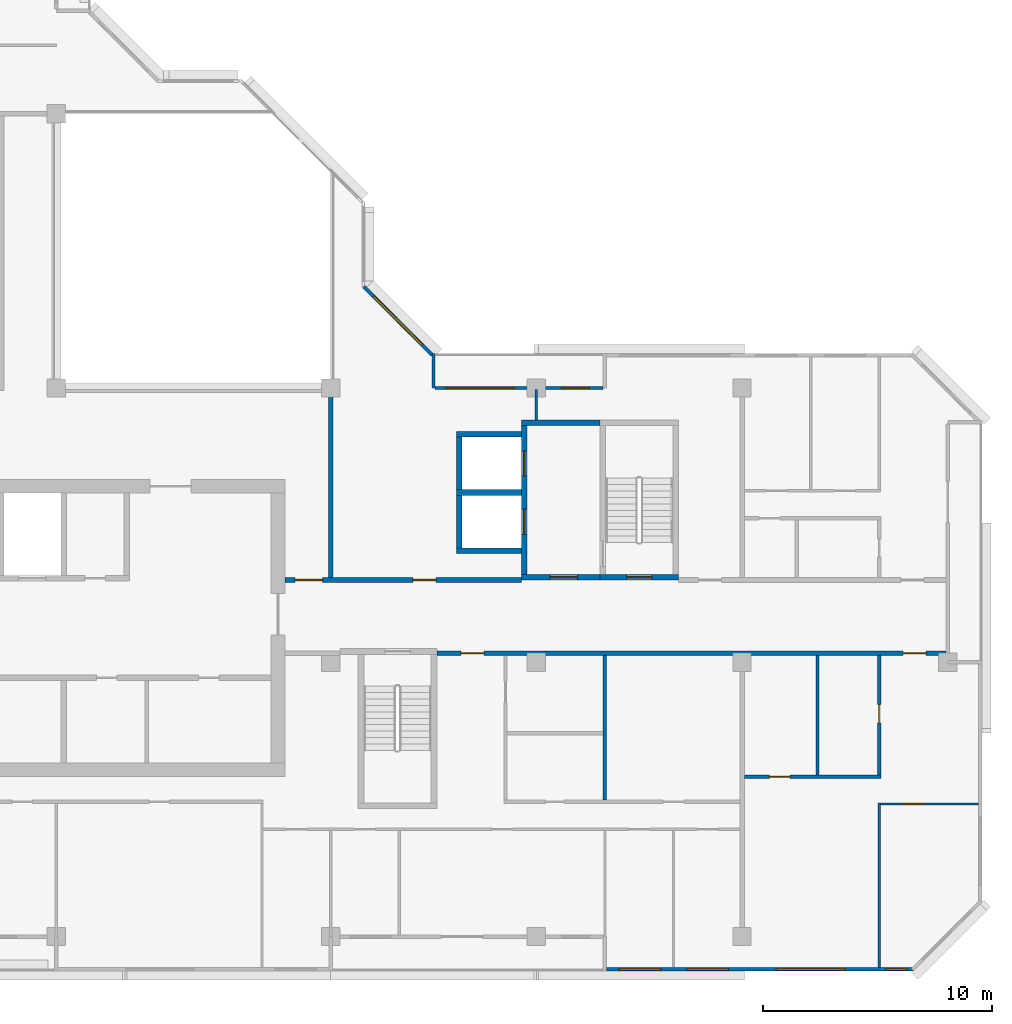
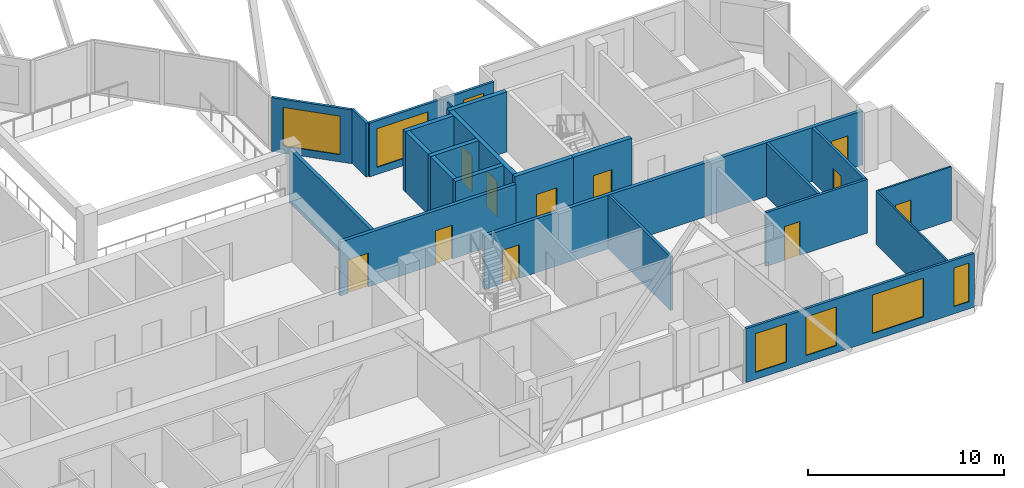
# One storey, part 7 of 13: 23 walls, 11 doors, 7 windows, 18 openings.
"""IFC4 building model written with IfcOpenShell, lengths in metres."""

from ifc_helpers import new_model, si_unit, direction, frame, frame_2d, origin, place, context, subcontext, project, spatial, rectangle, extrude, material, layer, layer_set, type_object, element, fill, save


model = new_model("IFC4")

# Units and contexts
model_context = context("Model", 3, precision=1e-05, world=origin(), true_north=direction((0.0, 1.0)))
body_context = subcontext(model_context, "Body", "Model", "MODEL_VIEW")
ifc_project = project(units=[si_unit("LENGTHUNIT", "METRE"), si_unit("AREAUNIT", "SQUARE_METRE"), si_unit("VOLUMEUNIT", "CUBIC_METRE"), si_unit("PLANEANGLEUNIT", "RADIAN"), si_unit("MASSUNIT", "GRAM", prefix="KILO")], contexts=[model_context])

# Site, building, storey
site_placement = place(None, origin())
site = spatial("IfcSite", under=ifc_project, at=site_placement, CompositionType="ELEMENT")
building_placement = place(site_placement, origin())
building = spatial("IfcBuilding", under=site, at=building_placement, Name="Chenar Terraces", CompositionType="ELEMENT")
storey_placement = place(building_placement, frame((0.0, 0.0, 310.89990234375)))
storey = spatial("IfcBuildingStorey", under=building, at=storey_placement, Name="L73", CompositionType="ELEMENT", Elevation=310.89990234375)

# Wall, opening, door
ifc_material_1 = material(Name="Concrete C50/60", Category="concrete")
ifc_layer_1 = layer(ifc_material_1, 0.25)
ifc_layer_set_1 = layer_set([ifc_layer_1], Name="Concrete C50/60")
wall_type_1 = type_object("IfcWallType", Name="Core wall 250 Concrete C50/60", PredefinedType="SHEAR", material=ifc_layer_set_1)
wall_1_placement = place(storey_placement, frame((47.77490234375, 15.72509765625, 0.0), z_axis=(0.0, 0.0, 1.0), x_axis=(1.0, 0.0, 0.0)))
wall_1 = element("IfcWall", 1, at=wall_1_placement, inside=storey, type_object=wall_type_1, Name="Core wall ST3_S L73", PredefinedType="SHEAR", context=body_context, shape_type="SweptSolid", body=[
    extrude(rectangle(XDim=3.4501953125, YDim=0.25, at=frame_2d((1.72509765625, 0.0))), origin(), (0.0, 0.0, 1.0), 3.75),
])
opening_1_placement = place(wall_1_placement, frame((1.175048828125, 0.0, 0.0)))
opening_1 = element("IfcOpeningElement", 2, at=opening_1_placement, cuts=wall_1, Name="Opening DL73-C8", PredefinedType="OPENING", context=body_context, shape_type="SweptSolid", body=[
    extrude(rectangle(XDim=1.10009765625, YDim=2.199951171875, at=frame_2d((0.550048828125, 1.10009765625))), frame((0.0, 0.135009765625, 0.0), z_axis=(0.0, -1.0, 0.0), x_axis=(1.0, 0.0, 0.0)), (0.0, 0.0, 1.0), 0.27001953125),
])
ifc_material_2 = material(Name="Steel-framed fire-resisting door leaf", Category="steel")
door_type_1 = type_object("IfcDoorType", Name="Stair fire door FD60 1100 x 2200", OperationType="SINGLE_SWING_LEFT", PredefinedType="DOOR", material=ifc_material_2)
door_1_placement = place(opening_1_placement, frame((1.10009765625, 0.0, 0.0), z_axis=(0.0, 0.0, 1.0), x_axis=(-1.0, 0.0, 0.0)))
door_1 = element("IfcDoor", 3, at=door_1_placement, inside=storey, type_object=door_type_1, Name="Stair door DL73-C8", OperationType="SINGLE_SWING_LEFT", OverallHeight=2.199951171875, OverallWidth=1.10009765625, PredefinedType="DOOR", context=body_context, shape_type="SweptSolid", body=[
    extrude(rectangle(XDim=1.10009765625, YDim=2.199951171875, at=frame_2d((0.550048828125, 1.10009765625))), frame((0.0, 0.02490234375, 0.0), z_axis=(0.0, -1.0, 0.0), x_axis=(1.0, 0.0, 0.0)), (0.0, 0.0, 1.0), 0.050048828125),
])
fill(opening_1, door_1)

wall_2_placement = place(storey_placement, frame((44.35009765625, 15.72509765625, 0.0), z_axis=(0.0, 0.0, 1.0), x_axis=(1.0, 0.0, 0.0)))
wall_2 = element("IfcWall", 4, at=wall_2_placement, inside=storey, type_object=wall_type_1, Name="Core wall F3_LS L73", PredefinedType="SHEAR", context=body_context, shape_type="SweptSolid", body=[
    extrude(rectangle(XDim=3.4248046875, YDim=0.25, at=frame_2d((1.71240234375, 0.0))), origin(), (0.0, 0.0, 1.0), 3.75),
])
opening_2_placement = place(wall_2_placement, frame((1.25, 0.0, 0.0)))
opening_2 = element("IfcOpeningElement", 5, at=opening_2_placement, cuts=wall_2, Name="Opening DL73-C10", PredefinedType="OPENING", context=body_context, shape_type="SweptSolid", body=[
    extrude(rectangle(XDim=1.199951171875, YDim=2.199951171875, at=frame_2d((0.60009765625, 1.10009765625))), frame((0.0, 0.135009765625, 0.0), z_axis=(0.0, -1.0, 0.0), x_axis=(1.0, 0.0, 0.0)), (0.0, 0.0, 1.0), 0.27001953125),
])
ifc_material_3 = material(Name="Steel-framed fire-resisting door leaf", Category="steel")
door_type_2 = type_object("IfcDoorType", Name="Lobby fire door FD60 1200 x 2200", OperationType="SINGLE_SWING_LEFT", PredefinedType="DOOR", material=ifc_material_3)
door_2_placement = place(opening_2_placement, origin())
door_2 = element("IfcDoor", 6, at=door_2_placement, inside=storey, type_object=door_type_2, Name="Core door DL73-C10", OperationType="SINGLE_SWING_RIGHT", OverallHeight=2.199951171875, OverallWidth=1.199951171875, PredefinedType="DOOR", context=body_context, shape_type="SweptSolid", body=[
    extrude(rectangle(XDim=1.199951171875, YDim=2.199951171875, at=frame_2d((0.60009765625, 1.10009765625))), frame((0.0, 0.02490234375, 0.0), z_axis=(0.0, -1.0, 0.0), x_axis=(1.0, 0.0, 0.0)), (0.0, 0.0, 1.0), 0.050048828125),
])
fill(opening_2, door_2)

# Wall
wall_3_placement = place(storey_placement, frame((44.35009765625, 22.47509765625, 0.0), z_axis=(0.0, 0.0, 1.0), x_axis=(1.0, 0.0, 0.0)))
element("IfcWall", 7, at=wall_3_placement, inside=storey, type_object=wall_type_1, Name="Core wall F3_LN L73", PredefinedType="SHEAR", context=body_context, shape_type="SweptSolid", body=[
    extrude(rectangle(XDim=3.4248046875, YDim=0.25, at=frame_2d((1.71240234375, 0.0))), origin(), (0.0, 0.0, 1.0), 3.75),
])

# Wall, openings, doors
wall_4_placement = place(storey_placement, frame((44.47509765625, 15.85009765625, 0.0), z_axis=(0.0, 0.0, 1.0), x_axis=(0.0, 1.0, 0.0)))
wall_4 = element("IfcWall", 8, at=wall_4_placement, inside=storey, type_object=wall_type_1, Name="Core wall F3_LW L73", PredefinedType="SHEAR", context=body_context, shape_type="SweptSolid", body=[
    extrude(rectangle(XDim=6.5, YDim=0.25, at=frame_2d((3.25, 0.0))), origin(), (0.0, 0.0, 1.0), 3.75),
])
opening_3_placement = place(wall_4_placement, frame((1.75, 0.0, 0.0)))
opening_3 = element("IfcOpeningElement", 9, at=opening_3_placement, cuts=wall_4, Name="Opening DL73-LD8", PredefinedType="OPENING", context=body_context, shape_type="SweptSolid", body=[
    extrude(rectangle(XDim=1.10009765625, YDim=2.199951171875, at=frame_2d((0.550048828125, 1.10009765625))), frame((0.0, 0.135009765625, 0.0), z_axis=(0.0, -1.0, 0.0), x_axis=(1.0, 0.0, 0.0)), (0.0, 0.0, 1.0), 0.27001953125),
])
opening_4_placement = place(wall_4_placement, frame((4.300048828125, 0.0, 0.0)))
opening_4 = element("IfcOpeningElement", 10, at=opening_4_placement, cuts=wall_4, Name="Opening DL73-LD9", PredefinedType="OPENING", context=body_context, shape_type="SweptSolid", body=[
    extrude(rectangle(XDim=1.10009765625, YDim=2.199951171875, at=frame_2d((0.550048828125, 1.10009765625))), frame((0.0, 0.135009765625, 0.0), z_axis=(0.0, -1.0, 0.0), x_axis=(1.0, 0.0, 0.0)), (0.0, 0.0, 1.0), 0.27001953125),
])
ifc_material_4 = material(Name="Stainless steel", Category="steel")
door_type_3 = type_object("IfcDoorType", Name="Lift landing door 1100 x 2200 sliding", OperationType="DOUBLE_DOOR_SLIDING", PredefinedType="DOOR", material=ifc_material_4)
door_3_placement = place(opening_3_placement, origin())
door_3 = element("IfcDoor", 11, at=door_3_placement, inside=storey, type_object=door_type_3, Name="Landing door F3", OperationType="DOUBLE_DOOR_SLIDING", OverallHeight=2.199951171875, OverallWidth=1.10009765625, PredefinedType="DOOR", context=body_context, shape_type="SweptSolid", body=[
    extrude(rectangle(XDim=1.10009765625, YDim=2.199951171875, at=frame_2d((0.550048828125, 1.10009765625))), frame((0.0, 0.02490234375, 0.0), z_axis=(0.0, -1.0, 0.0), x_axis=(1.0, 0.0, 0.0)), (0.0, 0.0, 1.0), 0.050048828125),
])
fill(opening_3, door_3)
door_4_placement = place(opening_4_placement, origin())
door_4 = element("IfcDoor", 12, at=door_4_placement, inside=storey, type_object=door_type_3, Name="Landing door F4", OperationType="DOUBLE_DOOR_SLIDING", OverallHeight=2.199951171875, OverallWidth=1.10009765625, PredefinedType="DOOR", context=body_context, shape_type="SweptSolid", body=[
    extrude(rectangle(XDim=1.10009765625, YDim=2.199951171875, at=frame_2d((0.550048828125, 1.10009765625))), frame((0.0, 0.02490234375, 0.0), z_axis=(0.0, -1.0, 0.0), x_axis=(1.0, 0.0, 0.0)), (0.0, 0.0, 1.0), 0.050048828125),
])
fill(opening_4, door_4)

# Walls
for number, where, z_axis, x_axis, name in (
    (13, (41.5, 16.875, 0.0), (0.0, 0.0, 1.0), (1.0, 0.0, 0.0), "Core wall F3_SS L73"),
    (14, (41.5, 19.425048828125, 0.0), (0.0, 0.0, 1.0), (1.0, 0.0, 0.0), "Core wall F3_SM L73"),
    (15, (41.5, 21.97509765625, 0.0), (0.0, 0.0, 1.0), (1.0, 0.0, 0.0), "Core wall F4_SN L73"),
):
    element("IfcWall", number, at=place(storey_placement, frame(where, z_axis=z_axis, x_axis=x_axis)), inside=storey, type_object=wall_type_1, Name=name, PredefinedType="SHEAR", context=body_context, shape_type="SweptSolid", body=[
        extrude(rectangle(XDim=2.85009765625, YDim=0.25, at=frame_2d((1.425048828125, 0.0))), origin(), (0.0, 0.0, 1.0), 3.75),
    ])
for number, where, z_axis, x_axis, name in (
    (16, (41.625, 17.0, 0.0), (0.0, 0.0, 1.0), (0.0, 1.0, 0.0), "Core wall F3_SW L73"),
    (17, (41.625, 19.550048828125, 0.0), (0.0, 0.0, 1.0), (0.0, 1.0, 0.0), "Core wall F4_SW L73"),
):
    element("IfcWall", number, at=place(storey_placement, frame(where, z_axis=z_axis, x_axis=x_axis)), inside=storey, type_object=wall_type_1, Name=name, PredefinedType="SHEAR", context=body_context, shape_type="SweptSolid", body=[
        extrude(rectangle(XDim=2.300048828125, YDim=0.25, at=frame_2d((1.14990234375, 0.0))), origin(), (0.0, 0.0, 1.0), 3.75),
    ])

# Wall, openings, doors
ifc_material_5 = material(Name="Gypsum board on steel studs with fire boards", Category="steel")
ifc_layer_2 = layer(ifc_material_5, 0.199951171875)
ifc_layer_set_2 = layer_set([ifc_layer_2], Name="Gypsum board on steel studs with fire boards")
wall_type_2 = type_object("IfcWallType", Name="Corridor wall 200", PredefinedType="PARTITIONING", material=ifc_layer_set_2)
wall_5_placement = place(storey_placement, frame((34.0, 15.60009765625, 0.0), z_axis=(0.0, 0.0, 1.0), x_axis=(1.0, 0.0, 0.0)))
wall_5 = element("IfcWall", 18, at=wall_5_placement, inside=storey, type_object=wall_type_2, Name="Partition L73-056", PredefinedType="PARTITIONING", context=body_context, shape_type="SweptSolid", body=[
    extrude(rectangle(XDim=10.35009765625, YDim=0.199951171875, at=frame_2d((5.175048828125, 0.0))), origin(), (0.0, 0.0, 1.0), 3.35009765625),
])
opening_5_placement = place(wall_5_placement, frame((5.60009765625, 0.0, 0.0)))
opening_5 = element("IfcOpeningElement", 19, at=opening_5_placement, cuts=wall_5, Name="Opening DL73-3", PredefinedType="OPENING", context=body_context, shape_type="SweptSolid", body=[
    extrude(rectangle(XDim=1.0, YDim=2.10009765625, at=frame_2d((0.5, 1.050048828125))), frame((0.0, 0.10986328125, 0.0), z_axis=(0.0, -1.0, 0.0), x_axis=(1.0, 0.0, 0.0)), (0.0, 0.0, 1.0), 0.219970703125),
])
opening_6_placement = place(wall_5_placement, frame((0.449951171875, 0.0, 0.0)))
opening_6 = element("IfcOpeningElement", 20, at=opening_6_placement, cuts=wall_5, Name="Opening DL73-29", PredefinedType="OPENING", context=body_context, shape_type="SweptSolid", body=[
    extrude(rectangle(XDim=1.199951171875, YDim=2.10009765625, at=frame_2d((0.60009765625, 1.050048828125))), frame((0.0, 0.10986328125, 0.0), z_axis=(0.0, -1.0, 0.0), x_axis=(1.0, 0.0, 0.0)), (0.0, 0.0, 1.0), 0.219970703125),
])
ifc_material_6 = material(Name="Steel-framed fire-resisting door leaf", Category="steel")
door_type_4 = type_object("IfcDoorType", Name="Fire door FD60 1000 x 2100", OperationType="SINGLE_SWING_LEFT", PredefinedType="DOOR", material=ifc_material_6)
door_5_placement = place(opening_5_placement, origin())
door_5 = element("IfcDoor", 21, at=door_5_placement, inside=storey, type_object=door_type_4, Name="Door DL73-3", OperationType="SINGLE_SWING_RIGHT", OverallHeight=2.10009765625, OverallWidth=1.0, PredefinedType="DOOR", context=body_context, shape_type="SweptSolid", body=[
    extrude(rectangle(XDim=1.0, YDim=2.10009765625, at=frame_2d((0.5, 1.050048828125))), frame((0.0, 0.02490234375, 0.0), z_axis=(0.0, -1.0, 0.0), x_axis=(1.0, 0.0, 0.0)), (0.0, 0.0, 1.0), 0.050048828125),
])
fill(opening_5, door_5)
ifc_material_7 = material(Name="Steel-framed fire-resisting door leaf", Category="steel")
door_type_5 = type_object("IfcDoorType", Name="Fire door FD60 1200 x 2100", OperationType="SINGLE_SWING_LEFT", PredefinedType="DOOR", material=ifc_material_7)
door_6_placement = place(opening_6_placement, origin())
door_6 = element("IfcDoor", 22, at=door_6_placement, inside=storey, type_object=door_type_5, Name="Door DL73-29", OperationType="SINGLE_SWING_RIGHT", OverallHeight=2.10009765625, OverallWidth=1.199951171875, PredefinedType="DOOR", context=body_context, shape_type="SweptSolid", body=[
    extrude(rectangle(XDim=1.199951171875, YDim=2.10009765625, at=frame_2d((0.60009765625, 1.050048828125))), frame((0.0, 0.02490234375, 0.0), z_axis=(0.0, -1.0, 0.0), x_axis=(1.0, 0.0, 0.0)), (0.0, 0.0, 1.0), 0.050048828125),
])
fill(opening_6, door_6)

# Wall
wall_6_placement = place(storey_placement, frame((36.0, 15.699951171875, 0.0), z_axis=(0.0, 0.0, 1.0), x_axis=(0.0, 1.0, 0.0)))
element("IfcWall", 23, at=wall_6_placement, inside=storey, type_object=wall_type_2, Name="Partition L73-058", PredefinedType="PARTITIONING", context=body_context, shape_type="SweptSolid", body=[
    extrude(rectangle(XDim=8.300048828125, YDim=0.199951171875, at=frame_2d((4.14990234375, 0.0))), origin(), (0.0, 0.0, 1.0), 3.35009765625),
])

# Wall, openings, doors
wall_7_placement = place(storey_placement, frame((40.64990234375, 12.39990234375, 0.0), z_axis=(0.0, 0.0, 1.0), x_axis=(1.0, 0.0, 0.0)))
wall_7 = element("IfcWall", 24, at=wall_7_placement, inside=storey, type_object=wall_type_2, Name="Partition L73-060", PredefinedType="PARTITIONING", context=body_context, shape_type="SweptSolid", body=[
    extrude(rectangle(XDim=22.276123046875, YDim=0.199951171875, at=frame_2d((11.13818359375, 0.0))), origin(), (0.0, 0.0, 1.0), 3.35009765625),
])
opening_7_placement = place(wall_7_placement, frame((20.39990234375, 0.0, 0.0)))
opening_7 = element("IfcOpeningElement", 25, at=opening_7_placement, cuts=wall_7, Name="Opening DL73-12", PredefinedType="OPENING", context=body_context, shape_type="SweptSolid", body=[
    extrude(rectangle(XDim=1.0, YDim=2.10009765625, at=frame_2d((0.5, 1.050048828125))), frame((0.0, 0.10986328125, 0.0), z_axis=(0.0, -1.0, 0.0), x_axis=(1.0, 0.0, 0.0)), (0.0, 0.0, 1.0), 0.219970703125),
])
opening_8_placement = place(wall_7_placement, frame((1.050048828125, 0.0, 0.0)))
opening_8 = element("IfcOpeningElement", 26, at=opening_8_placement, cuts=wall_7, Name="Opening DL73-45", PredefinedType="OPENING", context=body_context, shape_type="SweptSolid", body=[
    extrude(rectangle(XDim=1.0, YDim=2.10009765625, at=frame_2d((0.5, 1.050048828125))), frame((0.0, 0.10986328125, 0.0), z_axis=(0.0, -1.0, 0.0), x_axis=(1.0, 0.0, 0.0)), (0.0, 0.0, 1.0), 0.219970703125),
])
ifc_material_8 = material(Name="Steel-framed fire-resisting door leaf", Category="steel")
door_type_6 = type_object("IfcDoorType", Name="Fire door FD30S 1000 x 2100", OperationType="SINGLE_SWING_LEFT", PredefinedType="DOOR", material=ifc_material_8)
door_7_placement = place(opening_7_placement, frame((1.0, 0.0, 0.0), z_axis=(0.0, 0.0, 1.0), x_axis=(-1.0, 0.0, 0.0)))
door_7 = element("IfcDoor", 27, at=door_7_placement, inside=storey, type_object=door_type_6, Name="Door DL73-12", OperationType="SINGLE_SWING_LEFT", OverallHeight=2.10009765625, OverallWidth=1.0, PredefinedType="DOOR", context=body_context, shape_type="SweptSolid", body=[
    extrude(rectangle(XDim=1.0, YDim=2.10009765625, at=frame_2d((0.5, 1.050048828125))), frame((0.0, 0.02490234375, 0.0), z_axis=(0.0, -1.0, 0.0), x_axis=(1.0, 0.0, 0.0)), (0.0, 0.0, 1.0), 0.050048828125),
])
fill(opening_7, door_7)
door_8_placement = place(opening_8_placement, origin())
door_8 = element("IfcDoor", 28, at=door_8_placement, inside=storey, type_object=door_type_6, Name="Door DL73-45", OperationType="SINGLE_SWING_LEFT", OverallHeight=2.10009765625, OverallWidth=1.0, PredefinedType="DOOR", context=body_context, shape_type="SweptSolid", body=[
    extrude(rectangle(XDim=1.0, YDim=2.10009765625, at=frame_2d((0.5, 1.050048828125))), frame((0.0, 0.02490234375, 0.0), z_axis=(0.0, -1.0, 0.0), x_axis=(1.0, 0.0, 0.0)), (0.0, 0.0, 1.0), 0.050048828125),
])
fill(opening_8, door_8)

# Wall, openings, windows
ifc_material_9 = material(Name="Aluminium framed glazing", Category="aluminium")
ifc_layer_3 = layer(ifc_material_9, 0.14990234375)
ifc_layer_set_3 = layer_set([ifc_layer_3], Name="Aluminium framed glazing")
wall_type_3 = type_object("IfcWallType", Name="Glazed flush facade wall 150", PredefinedType="SOLIDWALL", material=ifc_layer_set_3)
wall_8_placement = place(storey_placement, frame((48.074951171875, -1.425048828125, 0.0), z_axis=(0.0, 0.0, 1.0), x_axis=(1.0, 0.0, 0.0)))
wall_8 = element("IfcWall", 29, at=wall_8_placement, inside=storey, type_object=wall_type_3, Name="Glazed flush facade wall", PredefinedType="SOLIDWALL", context=body_context, shape_type="SweptSolid", body=[
    extrude(rectangle(XDim=13.425048828125, YDim=0.14990234375, at=frame_2d((6.71240234375, 0.0))), origin(), (0.0, 0.0, 1.0), 3.35009765625),
])
opening_9_placement = place(wall_8_placement, frame((0.5625, 0.0, 0.449951171875)))
opening_9 = element("IfcOpeningElement", 30, at=opening_9_placement, cuts=wall_8, Name="Opening W180x240", PredefinedType="OPENING", context=body_context, shape_type="SweptSolid", body=[
    extrude(rectangle(XDim=1.800048828125, YDim=2.39990234375, at=frame_2d((0.89990234375, 1.199951171875))), frame((0.0, 0.0849609375, 0.0), z_axis=(0.0, -1.0, 0.0), x_axis=(1.0, 0.0, 0.0)), (0.0, 0.0, 1.0), 0.169921875),
])
opening_10_placement = place(wall_8_placement, frame((3.52490234375, 0.0, 0.449951171875)))
opening_10 = element("IfcOpeningElement", 31, at=opening_10_placement, cuts=wall_8, Name="Opening W180x240", PredefinedType="OPENING", context=body_context, shape_type="SweptSolid", body=[
    extrude(rectangle(XDim=1.800048828125, YDim=2.39990234375, at=frame_2d((0.89990234375, 1.199951171875))), frame((0.0, 0.0849609375, 0.0), z_axis=(0.0, -1.0, 0.0), x_axis=(1.0, 0.0, 0.0)), (0.0, 0.0, 1.0), 0.169921875),
])
opening_11_placement = place(wall_8_placement, frame((7.425048828125, 0.0, 0.449951171875)))
opening_11 = element("IfcOpeningElement", 32, at=opening_11_placement, cuts=wall_8, Name="Opening W300x240", PredefinedType="OPENING", context=body_context, shape_type="SweptSolid", body=[
    extrude(rectangle(XDim=3.0, YDim=2.39990234375, at=frame_2d((1.5, 1.199951171875))), frame((0.0, 0.0849609375, 0.0), z_axis=(0.0, -1.0, 0.0), x_axis=(1.0, 0.0, 0.0)), (0.0, 0.0, 1.0), 0.169921875),
])
opening_12_placement = place(wall_8_placement, frame((12.22509765625, 0.0, 0.449951171875)))
opening_12 = element("IfcOpeningElement", 33, at=opening_12_placement, cuts=wall_8, Name="Opening W90x240", PredefinedType="OPENING", context=body_context, shape_type="SweptSolid", body=[
    extrude(rectangle(XDim=0.89990234375, YDim=2.39990234375, at=frame_2d((0.449951171875, 1.199951171875))), frame((0.0, 0.0849609375, 0.0), z_axis=(0.0, -1.0, 0.0), x_axis=(1.0, 0.0, 0.0)), (0.0, 0.0, 1.0), 0.169921875),
])
ifc_material_10 = material(Name="Low emissivity double glazing, aluminium frame", Category="aluminium")
window_type_1 = type_object("IfcWindowType", Name="Fixed light 1800 x 2400", PartitioningType="SINGLE_PANEL", PredefinedType="WINDOW", material=ifc_material_10)
window_1_placement = place(opening_9_placement, origin())
window_1 = element("IfcWindow", 34, at=window_1_placement, inside=storey, type_object=window_type_1, Name="Window", OverallHeight=2.39990234375, OverallWidth=1.800048828125, PartitioningType="SINGLE_PANEL", PredefinedType="WINDOW", context=body_context, shape_type="SweptSolid", body=[
    extrude(rectangle(XDim=1.800048828125, YDim=2.39990234375, at=frame_2d((0.89990234375, 1.199951171875))), frame((0.0, 0.030029296875, 0.0), z_axis=(0.0, -1.0, 0.0), x_axis=(1.0, 0.0, 0.0)), (0.0, 0.0, 1.0), 0.06005859375),
])
fill(opening_9, window_1)
window_2_placement = place(opening_10_placement, origin())
window_2 = element("IfcWindow", 35, at=window_2_placement, inside=storey, type_object=window_type_1, Name="Window", OverallHeight=2.39990234375, OverallWidth=1.800048828125, PartitioningType="SINGLE_PANEL", PredefinedType="WINDOW", context=body_context, shape_type="SweptSolid", body=[
    extrude(rectangle(XDim=1.800048828125, YDim=2.39990234375, at=frame_2d((0.89990234375, 1.199951171875))), frame((0.0, 0.030029296875, 0.0), z_axis=(0.0, -1.0, 0.0), x_axis=(1.0, 0.0, 0.0)), (0.0, 0.0, 1.0), 0.06005859375),
])
fill(opening_10, window_2)
ifc_material_11 = material(Name="Low emissivity double glazing, aluminium frame", Category="aluminium")
window_type_2 = type_object("IfcWindowType", Name="Fixed light 3000 x 2400", PartitioningType="SINGLE_PANEL", PredefinedType="WINDOW", material=ifc_material_11)
window_3_placement = place(opening_11_placement, origin())
window_3 = element("IfcWindow", 36, at=window_3_placement, inside=storey, type_object=window_type_2, Name="Window", OverallHeight=2.39990234375, OverallWidth=3.0, PartitioningType="SINGLE_PANEL", PredefinedType="WINDOW", context=body_context, shape_type="SweptSolid", body=[
    extrude(rectangle(XDim=3.0, YDim=2.39990234375, at=frame_2d((1.5, 1.199951171875))), frame((0.0, 0.030029296875, 0.0), z_axis=(0.0, -1.0, 0.0), x_axis=(1.0, 0.0, 0.0)), (0.0, 0.0, 1.0), 0.06005859375),
])
fill(opening_11, window_3)
ifc_material_12 = material(Name="Low emissivity double glazing, aluminium frame", Category="aluminium")
window_type_3 = type_object("IfcWindowType", Name="Fixed light 900 x 2400", PartitioningType="SINGLE_PANEL", PredefinedType="WINDOW", material=ifc_material_12)
window_4_placement = place(opening_12_placement, origin())
window_4 = element("IfcWindow", 37, at=window_4_placement, inside=storey, type_object=window_type_3, Name="Window", OverallHeight=2.39990234375, OverallWidth=0.89990234375, PartitioningType="SINGLE_PANEL", PredefinedType="WINDOW", context=body_context, shape_type="SweptSolid", body=[
    extrude(rectangle(XDim=0.89990234375, YDim=2.39990234375, at=frame_2d((0.449951171875, 1.199951171875))), frame((0.0, 0.030029296875, 0.0), z_axis=(0.0, -1.0, 0.0), x_axis=(1.0, 0.0, 0.0)), (0.0, 0.0, 1.0), 0.06005859375),
])
fill(opening_12, window_4)

ifc_material_13 = material(Name="Aluminium framed glazing", Category="aluminium")
ifc_layer_4 = layer(ifc_material_13, 0.14990234375)
ifc_layer_set_4 = layer_set([ifc_layer_4], Name="Aluminium framed glazing")
wall_type_4 = type_object("IfcWallType", Name="Glazed loggia back wall 150", PredefinedType="SOLIDWALL", material=ifc_layer_set_4)
wall_9_placement = place(storey_placement, frame((47.925048828125, 24.0, 0.0), z_axis=(0.0, 0.0, 1.0), x_axis=(-1.0, 0.0, 0.0)))
wall_9 = element("IfcWall", 38, at=wall_9_placement, inside=storey, type_object=wall_type_4, Name="Glazed loggia back wall", PredefinedType="SOLIDWALL", context=body_context, shape_type="SweptSolid", body=[
    extrude(rectangle(XDim=7.35009765625, YDim=0.14990234375, at=frame_2d((3.675048828125, 0.0))), origin(), (0.0, 0.0, 1.0), 3.35009765625),
])
opening_13_placement = place(wall_9_placement, frame((0.612548828125, 0.0, 0.449951171875)))
opening_13 = element("IfcOpeningElement", 39, at=opening_13_placement, cuts=wall_9, Name="Opening W120x240", PredefinedType="OPENING", context=body_context, shape_type="SweptSolid", body=[
    extrude(rectangle(XDim=1.199951171875, YDim=2.39990234375, at=frame_2d((0.60009765625, 1.199951171875))), frame((0.0, 0.0849609375, 0.0), z_axis=(0.0, -1.0, 0.0), x_axis=(1.0, 0.0, 0.0)), (0.0, 0.0, 1.0), 0.169921875),
])
opening_14_placement = place(wall_9_placement, frame((3.887451171875, 0.0, 0.449951171875)))
opening_14 = element("IfcOpeningElement", 40, at=opening_14_placement, cuts=wall_9, Name="Opening W300x240", PredefinedType="OPENING", context=body_context, shape_type="SweptSolid", body=[
    extrude(rectangle(XDim=3.0, YDim=2.39990234375, at=frame_2d((1.5, 1.199951171875))), frame((0.0, 0.0849609375, 0.0), z_axis=(0.0, -1.0, 0.0), x_axis=(1.0, 0.0, 0.0)), (0.0, 0.0, 1.0), 0.169921875),
])
ifc_material_14 = material(Name="Low emissivity double glazing, aluminium frame", Category="aluminium")
window_type_4 = type_object("IfcWindowType", Name="Fixed light 1200 x 2400", PartitioningType="SINGLE_PANEL", PredefinedType="WINDOW", material=ifc_material_14)
window_5_placement = place(opening_13_placement, origin())
window_5 = element("IfcWindow", 41, at=window_5_placement, inside=storey, type_object=window_type_4, Name="Window", OverallHeight=2.39990234375, OverallWidth=1.199951171875, PartitioningType="SINGLE_PANEL", PredefinedType="WINDOW", context=body_context, shape_type="SweptSolid", body=[
    extrude(rectangle(XDim=1.199951171875, YDim=2.39990234375, at=frame_2d((0.60009765625, 1.199951171875))), frame((0.0, 0.030029296875, 0.0), z_axis=(0.0, -1.0, 0.0), x_axis=(1.0, 0.0, 0.0)), (0.0, 0.0, 1.0), 0.06005859375),
])
fill(opening_13, window_5)
window_6_placement = place(opening_14_placement, origin())
window_6 = element("IfcWindow", 42, at=window_6_placement, inside=storey, type_object=window_type_2, Name="Window", OverallHeight=2.39990234375, OverallWidth=3.0, PartitioningType="SINGLE_PANEL", PredefinedType="WINDOW", context=body_context, shape_type="SweptSolid", body=[
    extrude(rectangle(XDim=3.0, YDim=2.39990234375, at=frame_2d((1.5, 1.199951171875))), frame((0.0, 0.030029296875, 0.0), z_axis=(0.0, -1.0, 0.0), x_axis=(1.0, 0.0, 0.0)), (0.0, 0.0, 1.0), 0.06005859375),
])
fill(opening_14, window_6)

# Walls
ifc_material_15 = material(Name="Gypsum board on steel studs", Category="steel")
ifc_layer_5 = layer(ifc_material_15, 0.10009765625)
ifc_layer_set_5 = layer_set([ifc_layer_5], Name="Gypsum board on steel studs")
wall_type_5 = type_object("IfcWallType", Name="Gypsum partition 100", PredefinedType="PARTITIONING", material=ifc_layer_set_5)
wall_10_placement = place(storey_placement, frame((45.0, 22.60009765625, 0.0), z_axis=(0.0, 0.0, 1.0), x_axis=(0.0, 1.0, 0.0)))
element("IfcWall", 43, at=wall_10_placement, inside=storey, type_object=wall_type_5, Name="Partition L73-064", PredefinedType="PARTITIONING", context=body_context, shape_type="SweptSolid", body=[
    extrude(rectangle(XDim=1.325927734375, YDim=0.10009765625, at=frame_2d((0.6630859375, 0.0))), origin(), (0.0, 0.0, 1.0), 3.35009765625),
])
wall_11_placement = place(storey_placement, frame((60.0, -1.35009765625, 0.0), z_axis=(0.0, 0.0, 1.0), x_axis=(0.0, 1.0, 0.0)))
element("IfcWall", 44, at=wall_11_placement, inside=storey, type_object=wall_type_5, Name="Partition L73-077", PredefinedType="PARTITIONING", context=body_context, shape_type="SweptSolid", body=[
    extrude(rectangle(XDim=7.2001953125, YDim=0.10009765625, at=frame_2d((3.60009765625, 0.0))), origin(), (0.0, 0.0, 1.0), 3.35009765625),
])

# Wall, opening, door
wall_12_placement = place(storey_placement, frame((60.050048828125, 5.800048828125, 0.0), z_axis=(0.0, 0.0, 1.0), x_axis=(1.0, 0.0, 0.0)))
wall_12 = element("IfcWall", 45, at=wall_12_placement, inside=storey, type_object=wall_type_5, Name="Partition L73-081", PredefinedType="PARTITIONING", context=body_context, shape_type="SweptSolid", body=[
    extrude(rectangle(XDim=4.300048828125, YDim=0.10009765625, at=frame_2d((2.14990234375, 0.0))), origin(), (0.0, 0.0, 1.0), 3.35009765625),
])
opening_15_placement = place(wall_12_placement, frame((1.0, 0.0, 0.0)))
opening_15 = element("IfcOpeningElement", 46, at=opening_15_placement, cuts=wall_12, Name="Opening DL73-10", PredefinedType="OPENING", context=body_context, shape_type="SweptSolid", body=[
    extrude(rectangle(XDim=0.89990234375, YDim=2.10009765625, at=frame_2d((0.449951171875, 1.050048828125))), frame((0.0, 0.06005859375, 0.0), z_axis=(0.0, -1.0, 0.0), x_axis=(1.0, 0.0, 0.0)), (0.0, 0.0, 1.0), 0.1201171875),
])
ifc_material_16 = material(Name="Veneered timber door leaf", Category="wood")
door_type_7 = type_object("IfcDoorType", Name="Door 900 x 2100", OperationType="SINGLE_SWING_LEFT", PredefinedType="DOOR", material=ifc_material_16)
door_9_placement = place(opening_15_placement, frame((0.89990234375, 0.0, 0.0), z_axis=(0.0, 0.0, 1.0), x_axis=(-1.0, 0.0, 0.0)))
door_9 = element("IfcDoor", 47, at=door_9_placement, inside=storey, type_object=door_type_7, Name="Door DL73-10", OperationType="SINGLE_SWING_RIGHT", OverallHeight=2.10009765625, OverallWidth=0.89990234375, PredefinedType="DOOR", context=body_context, shape_type="SweptSolid", body=[
    extrude(rectangle(XDim=0.89990234375, YDim=2.10009765625, at=frame_2d((0.449951171875, 1.050048828125))), frame((0.0, 0.02490234375, 0.0), z_axis=(0.0, -1.0, 0.0), x_axis=(1.0, 0.0, 0.0)), (0.0, 0.0, 1.0), 0.050048828125),
])
fill(opening_15, door_9)

# Wall
ifc_material_17 = material(Name="Terracotta cladding on insulated backing", Category="masonry")
ifc_layer_6 = layer(ifc_material_17, 0.14990234375)
ifc_layer_set_6 = layer_set([ifc_layer_6], Name="Terracotta cladding on insulated backing")
wall_type_6 = type_object("IfcWallType", Name="Loggia return wall 150", PredefinedType="SOLIDWALL", material=ifc_layer_set_6)
wall_13_placement = place(storey_placement, frame((40.5, 25.5, 0.0), z_axis=(0.0, 0.0, 1.0), x_axis=(0.0, -1.0, 0.0)))
element("IfcWall", 48, at=wall_13_placement, inside=storey, type_object=wall_type_6, Name="Loggia return wall", PredefinedType="SOLIDWALL", context=body_context, shape_type="SweptSolid", body=[
    extrude(rectangle(XDim=1.5, YDim=0.14990234375, at=frame_2d((0.75, 0.0))), origin(), (0.0, 0.0, 1.0), 3.35009765625),
])

# Wall, opening, window
ifc_material_18 = material(Name="Terracotta cladding on insulated backing", Category="masonry")
ifc_layer_7 = layer(ifc_material_18, 0.14990234375)
ifc_layer_set_7 = layer_set([ifc_layer_7], Name="Terracotta cladding on insulated backing")
wall_type_7 = type_object("IfcWallType", Name="Terracotta rainscreen wall 150", PredefinedType="SOLIDWALL", material=ifc_layer_set_7)
wall_14_placement = place(storey_placement, frame((40.447021484375, 25.447021484375, 0.0), z_axis=(0.0, 0.0, 1.0), x_axis=(-0.707106781187, 0.707106781187, 0.0)))
wall_14 = element("IfcWall", 49, at=wall_14_placement, inside=storey, type_object=wall_type_7, Name="Terracotta rainscreen wall", PredefinedType="SOLIDWALL", context=body_context, shape_type="SweptSolid", body=[
    extrude(rectangle(XDim=4.24267578125, YDim=0.14990234375, at=frame_2d((2.121337890625, 0.0))), origin(), (0.0, 0.0, 1.0), 3.35009765625),
])
opening_16_placement = place(wall_14_placement, frame((0.621337890625, 0.0, 0.449951171875)))
opening_16 = element("IfcOpeningElement", 50, at=opening_16_placement, cuts=wall_14, Name="Opening W300x240", PredefinedType="OPENING", context=body_context, shape_type="SweptSolid", body=[
    extrude(rectangle(XDim=3.0, YDim=2.39990234375, at=frame_2d((1.5, 1.199951171875))), frame((0.0, 0.0849609375, 0.0), z_axis=(0.0, -1.0, 0.0), x_axis=(1.0, 0.0, 0.0)), (0.0, 0.0, 1.0), 0.169921875),
])
window_7_placement = place(opening_16_placement, origin())
window_7 = element("IfcWindow", 51, at=window_7_placement, inside=storey, type_object=window_type_2, Name="Window", OverallHeight=2.39990234375, OverallWidth=3.0, PartitioningType="SINGLE_PANEL", PredefinedType="WINDOW", context=body_context, shape_type="SweptSolid", body=[
    extrude(rectangle(XDim=3.0, YDim=2.39990234375, at=frame_2d((1.5, 1.199951171875))), frame((0.0, 0.030029296875, 0.0), z_axis=(0.0, -1.0, 0.0), x_axis=(1.0, 0.0, 0.0)), (0.0, 0.0, 1.0), 0.06005859375),
])
fill(opening_16, window_7)

# Wall
ifc_material_19 = material(Name="Moisture-resistant gypsum board on steel studs", Category="steel")
ifc_layer_8 = layer(ifc_material_19, 0.14990234375)
ifc_layer_set_8 = layer_set([ifc_layer_8], Name="Moisture-resistant gypsum board on steel studs")
wall_type_8 = type_object("IfcWallType", Name="Wet-room partition 150", PredefinedType="PARTITIONING", material=ifc_layer_set_8)
wall_15_placement = place(storey_placement, frame((48.0, 5.97509765625, 0.0), z_axis=(0.0, 0.0, 1.0), x_axis=(0.0, 1.0, 0.0)))
element("IfcWall", 52, at=wall_15_placement, inside=storey, type_object=wall_type_8, Name="Partition L73-066", PredefinedType="PARTITIONING", context=body_context, shape_type="SweptSolid", body=[
    extrude(rectangle(XDim=6.324951171875, YDim=0.14990234375, at=frame_2d((3.16259765625, 0.0))), origin(), (0.0, 0.0, 1.0), 3.35009765625),
])

# Wall, opening, door
wall_16_placement = place(storey_placement, frame((54.10009765625, 7.0, 0.0), z_axis=(0.0, 0.0, 1.0), x_axis=(1.0, 0.0, 0.0)))
wall_16 = element("IfcWall", 53, at=wall_16_placement, inside=storey, type_object=wall_type_8, Name="Partition L73-071", PredefinedType="PARTITIONING", context=body_context, shape_type="SweptSolid", body=[
    extrude(rectangle(XDim=5.974853515625, YDim=0.14990234375, at=frame_2d((2.9873046875, 0.0))), origin(), (0.0, 0.0, 1.0), 3.35009765625),
])
opening_17_placement = place(wall_16_placement, frame((1.10009765625, 0.0, 0.0)))
opening_17 = element("IfcOpeningElement", 54, at=opening_17_placement, cuts=wall_16, Name="Opening DL73-11", PredefinedType="OPENING", context=body_context, shape_type="SweptSolid", body=[
    extrude(rectangle(XDim=0.89990234375, YDim=2.10009765625, at=frame_2d((0.449951171875, 1.050048828125))), frame((0.0, 0.0849609375, 0.0), z_axis=(0.0, -1.0, 0.0), x_axis=(1.0, 0.0, 0.0)), (0.0, 0.0, 1.0), 0.169921875),
])
door_10_placement = place(opening_17_placement, origin())
door_10 = element("IfcDoor", 55, at=door_10_placement, inside=storey, type_object=door_type_7, Name="Door DL73-11", OperationType="SINGLE_SWING_LEFT", OverallHeight=2.10009765625, OverallWidth=0.89990234375, PredefinedType="DOOR", context=body_context, shape_type="SweptSolid", body=[
    extrude(rectangle(XDim=0.89990234375, YDim=2.10009765625, at=frame_2d((0.449951171875, 1.050048828125))), frame((0.0, 0.02490234375, 0.0), z_axis=(0.0, -1.0, 0.0), x_axis=(1.0, 0.0, 0.0)), (0.0, 0.0, 1.0), 0.050048828125),
])
fill(opening_17, door_10)

# Wall
wall_17_placement = place(storey_placement, frame((57.300048828125, 7.074951171875, 0.0), z_axis=(0.0, 0.0, 1.0), x_axis=(0.0, 1.0, 0.0)))
element("IfcWall", 56, at=wall_17_placement, inside=storey, type_object=wall_type_8, Name="Partition L73-076", PredefinedType="PARTITIONING", context=body_context, shape_type="SweptSolid", body=[
    extrude(rectangle(XDim=5.22509765625, YDim=0.14990234375, at=frame_2d((2.612548828125, 0.0))), origin(), (0.0, 0.0, 1.0), 3.35009765625),
])

# Wall, opening, door
wall_18_placement = place(storey_placement, frame((60.0, 7.074951171875, 0.0), z_axis=(0.0, 0.0, 1.0), x_axis=(0.0, 1.0, 0.0)))
wall_18 = element("IfcWall", 57, at=wall_18_placement, inside=storey, type_object=wall_type_8, Name="Partition L73-078", PredefinedType="PARTITIONING", context=body_context, shape_type="SweptSolid", body=[
    extrude(rectangle(XDim=5.22509765625, YDim=0.14990234375, at=frame_2d((2.612548828125, 0.0))), origin(), (0.0, 0.0, 1.0), 3.35009765625),
])
opening_18_placement = place(wall_18_placement, frame((2.27490234375, 0.0, 0.0)))
opening_18 = element("IfcOpeningElement", 58, at=opening_18_placement, cuts=wall_18, Name="Opening DL73-9", PredefinedType="OPENING", context=body_context, shape_type="SweptSolid", body=[
    extrude(rectangle(XDim=0.800048828125, YDim=2.10009765625, at=frame_2d((0.39990234375, 1.050048828125))), frame((0.0, 0.0849609375, 0.0), z_axis=(0.0, -1.0, 0.0), x_axis=(1.0, 0.0, 0.0)), (0.0, 0.0, 1.0), 0.169921875),
])
ifc_material_20 = material(Name="Veneered timber door leaf", Category="wood")
door_type_8 = type_object("IfcDoorType", Name="Door 800 x 2100", OperationType="SINGLE_SWING_LEFT", PredefinedType="DOOR", material=ifc_material_20)
door_11_placement = place(opening_18_placement, origin())
door_11 = element("IfcDoor", 59, at=door_11_placement, inside=storey, type_object=door_type_8, Name="Door DL73-9", OperationType="SINGLE_SWING_LEFT", OverallHeight=2.10009765625, OverallWidth=0.800048828125, PredefinedType="DOOR", context=body_context, shape_type="SweptSolid", body=[
    extrude(rectangle(XDim=0.800048828125, YDim=2.10009765625, at=frame_2d((0.39990234375, 1.050048828125))), frame((0.0, 0.02490234375, 0.0), z_axis=(0.0, -1.0, 0.0), x_axis=(1.0, 0.0, 0.0)), (0.0, 0.0, 1.0), 0.050048828125),
])
fill(opening_18, door_11)

save(model, "model.ifc")
